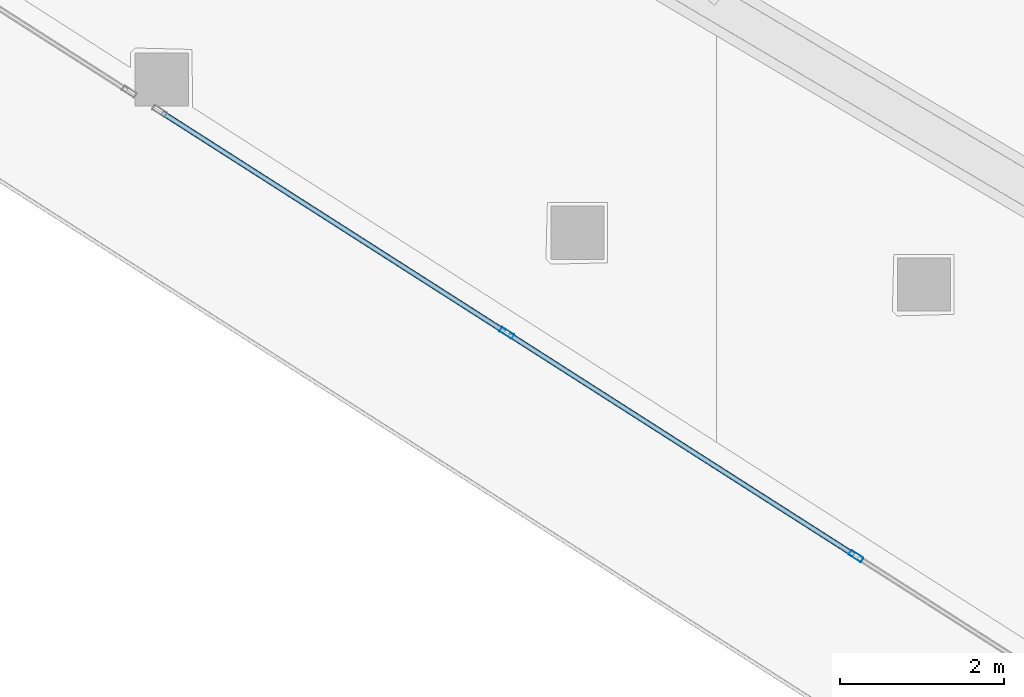
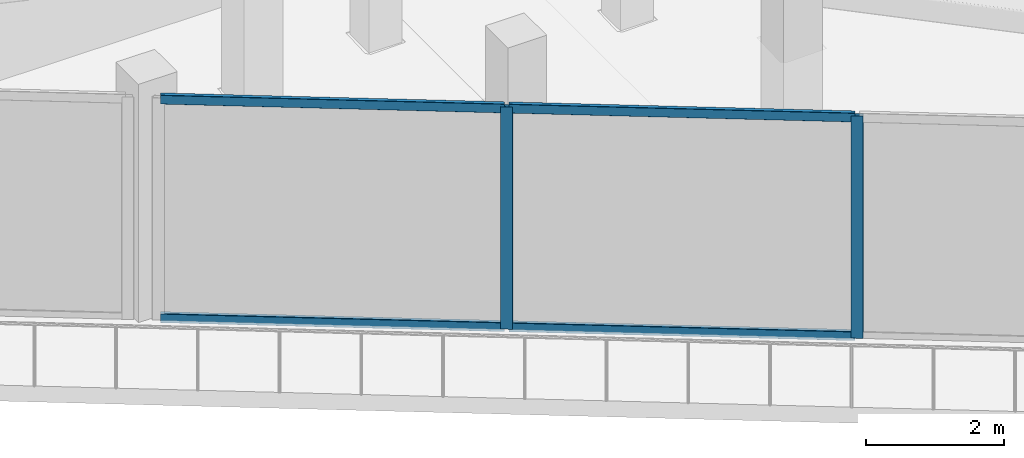
# One storey, part 2 of 43: 6 members, 1 element without a shape of its own.
"""IFC4 building model written with IfcOpenShell, lengths in metres."""

from ifc_helpers import new_model, si_unit, direction, frame, origin, origin_2d, place, context, subcontext, project, spatial, hollow_rectangle, extrude, material, layer, layer_set, material_profile, profile_set, type_object, element, aggregate, save


model = new_model("IFC4")

# Units and contexts
model_context = context("Model", 3, precision=1e-05, world=origin(), true_north=direction((0.0, 1.0)))
body_context = subcontext(model_context, "Body", "Model", "MODEL_VIEW")
ifc_project = project(units=[si_unit("LENGTHUNIT", "METRE"), si_unit("AREAUNIT", "SQUARE_METRE"), si_unit("VOLUMEUNIT", "CUBIC_METRE"), si_unit("PLANEANGLEUNIT", "RADIAN"), si_unit("MASSUNIT", "GRAM", prefix="KILO")], contexts=[model_context])

# Site, building, storey
site_placement = place(None, origin())
site = spatial("IfcSite", under=ifc_project, at=site_placement, CompositionType="ELEMENT")
building_placement = place(site_placement, origin())
building = spatial("IfcBuilding", under=site, at=building_placement, Name="Qorvath Tower", CompositionType="ELEMENT")
storey_placement = place(building_placement, frame((0.0, 0.0, 36.60009765625)))
storey = spatial("IfcBuildingStorey", under=building, at=storey_placement, Name="L07", CompositionType="ELEMENT", Elevation=36.60009765625)

# Curtain wall, members
ifc_material_1 = material(Name="Anodised aluminium and triple low-E glass", Category="aluminium")
ifc_layer = layer(ifc_material_1, 0.179931640625)
ifc_layer_set = layer_set([ifc_layer], Name="CW-SYS-2")
curtain_wall_type = type_object("IfcCurtainWallType", Name="CW-SYS-2", PredefinedType="NOTDEFINED", material=ifc_layer_set)
curtain_wall_placement = place(storey_placement, origin())
curtain_wall = element("IfcCurtainWall", 1, at=curtain_wall_placement, inside=storey, type_object=curtain_wall_type, Name="Curtain Wall CW-2 CW-T-L07-2.2", PredefinedType="NOTDEFINED")
ifc_material_2 = material(Name="Anodised aluminium 6063-T6", Category="aluminium")
ifc_material_profile_1 = material_profile(ifc_material_2, hollow_rectangle(XDim=0.06494140625, YDim=0.179931640625, WallThickness=0.00341796875, InnerFilletRadius=0.00341796875, OuterFilletRadius=0.007080078125, at=origin_2d()), Name="CWM 180x65")
ifc_profile_set_1 = profile_set([ifc_material_profile_1], Name="Anodised aluminium 6063-T6")
member_type_1 = type_object("IfcMemberType", Name="CWM-180", PredefinedType="MULLION", material=ifc_profile_set_1)
member_1_placement = place(storey_placement, frame((-36.115234375, -20.054443359375, 0.0), z_axis=(0.0, 0.0, 1.0), x_axis=(0.538532593363, 0.842604679483, 0.0)))
member_1 = element("IfcMember", 2, at=member_1_placement, type_object=member_type_1, Name="CW-2 mullion 2", PredefinedType="MULLION", context=body_context, shape_type="SweptSolid", body=[
    extrude(hollow_rectangle(XDim=0.06494140625, YDim=0.179931640625, WallThickness=0.00341796875, InnerFilletRadius=0.00341796875, OuterFilletRadius=0.007080078125, at=origin_2d()), origin(), (0.0, 0.0, 1.0), 3.919921875),
])
member_2_placement = place(storey_placement, frame((-31.845458984375, -22.783447265625, 0.0), z_axis=(0.0, 0.0, 1.0), x_axis=(0.538532593363, 0.842604679483, 0.0)))
member_2 = element("IfcMember", 3, at=member_2_placement, type_object=member_type_1, Name="CW-2 mullion 3", PredefinedType="MULLION", context=body_context, shape_type="SweptSolid", body=[
    extrude(hollow_rectangle(XDim=0.06494140625, YDim=0.179931640625, WallThickness=0.00341796875, InnerFilletRadius=0.00341796875, OuterFilletRadius=0.007080078125, at=origin_2d()), origin(), (0.0, 0.0, 1.0), 3.919921875),
])
ifc_material_3 = material(Name="Anodised aluminium 6063-T6", Category="aluminium")
ifc_material_profile_2 = material_profile(ifc_material_3, hollow_rectangle(XDim=0.06494140625, YDim=0.159912109375, WallThickness=0.00341796875, InnerFilletRadius=0.00341796875, OuterFilletRadius=0.007080078125, at=origin_2d()), Name="CWT 160x65")
ifc_profile_set_2 = profile_set([ifc_material_profile_2], Name="Anodised aluminium 6063-T6")
member_type_2 = type_object("IfcMemberType", Name="CWT-160", PredefinedType="USERDEFINED", material=ifc_profile_set_2)
member_3_placement = place(storey_placement, frame((-40.330078125, -17.360595703125, 0.032470703125), z_axis=(0.842589756763, -0.538555941196, 0.0), x_axis=(0.538555941196, 0.842589756763, 0.0)))
member_3 = element("IfcMember", 4, at=member_3_placement, type_object=member_type_2, Name="CW-2 transom 1.1", ObjectType="TRANSOM", PredefinedType="USERDEFINED", context=body_context, shape_type="SweptSolid", body=[
    extrude(hollow_rectangle(XDim=0.06494140625, YDim=0.159912109375, WallThickness=0.00341796875, InnerFilletRadius=0.00341796875, OuterFilletRadius=0.007080078125, at=origin_2d()), origin(), (0.0, 0.0, 1.0), 4.9697265625),
])
member_4_placement = place(storey_placement, frame((-40.330078125, -17.360595703125, 3.887451171875), z_axis=(0.842589756763, -0.538555941196, 0.0), x_axis=(0.538555941196, 0.842589756763, 0.0)))
member_4 = element("IfcMember", 5, at=member_4_placement, type_object=member_type_2, Name="CW-2 transom 1.2", ObjectType="TRANSOM", PredefinedType="USERDEFINED", context=body_context, shape_type="SweptSolid", body=[
    extrude(hollow_rectangle(XDim=0.06494140625, YDim=0.159912109375, WallThickness=0.00341796875, InnerFilletRadius=0.00341796875, OuterFilletRadius=0.007080078125, at=origin_2d()), origin(), (0.0, 0.0, 1.0), 4.9697265625),
])
member_5_placement = place(storey_placement, frame((-36.087890625, -20.072021484375, 0.032470703125), z_axis=(0.842602751758, -0.538535609528, 0.0), x_axis=(0.538535609528, 0.842602751758, 0.0)))
member_5 = element("IfcMember", 6, at=member_5_placement, type_object=member_type_2, Name="CW-2 transom 2.1", ObjectType="TRANSOM", PredefinedType="USERDEFINED", context=body_context, shape_type="SweptSolid", body=[
    extrude(hollow_rectangle(XDim=0.06494140625, YDim=0.159912109375, WallThickness=0.00341796875, InnerFilletRadius=0.00341796875, OuterFilletRadius=0.007080078125, at=origin_2d()), origin(), (0.0, 0.0, 1.0), 5.002197265625),
])
member_6_placement = place(storey_placement, frame((-36.087890625, -20.072021484375, 3.887451171875), z_axis=(0.842602751758, -0.538535609528, 0.0), x_axis=(0.538535609528, 0.842602751758, 0.0)))
member_6 = element("IfcMember", 7, at=member_6_placement, type_object=member_type_2, Name="CW-2 transom 2.2", ObjectType="TRANSOM", PredefinedType="USERDEFINED", context=body_context, shape_type="SweptSolid", body=[
    extrude(hollow_rectangle(XDim=0.06494140625, YDim=0.159912109375, WallThickness=0.00341796875, InnerFilletRadius=0.00341796875, OuterFilletRadius=0.007080078125, at=origin_2d()), origin(), (0.0, 0.0, 1.0), 5.002197265625),
])
aggregate(curtain_wall, [member_1, member_2, member_3, member_4, member_5, member_6])

save(model, "model.ifc")
